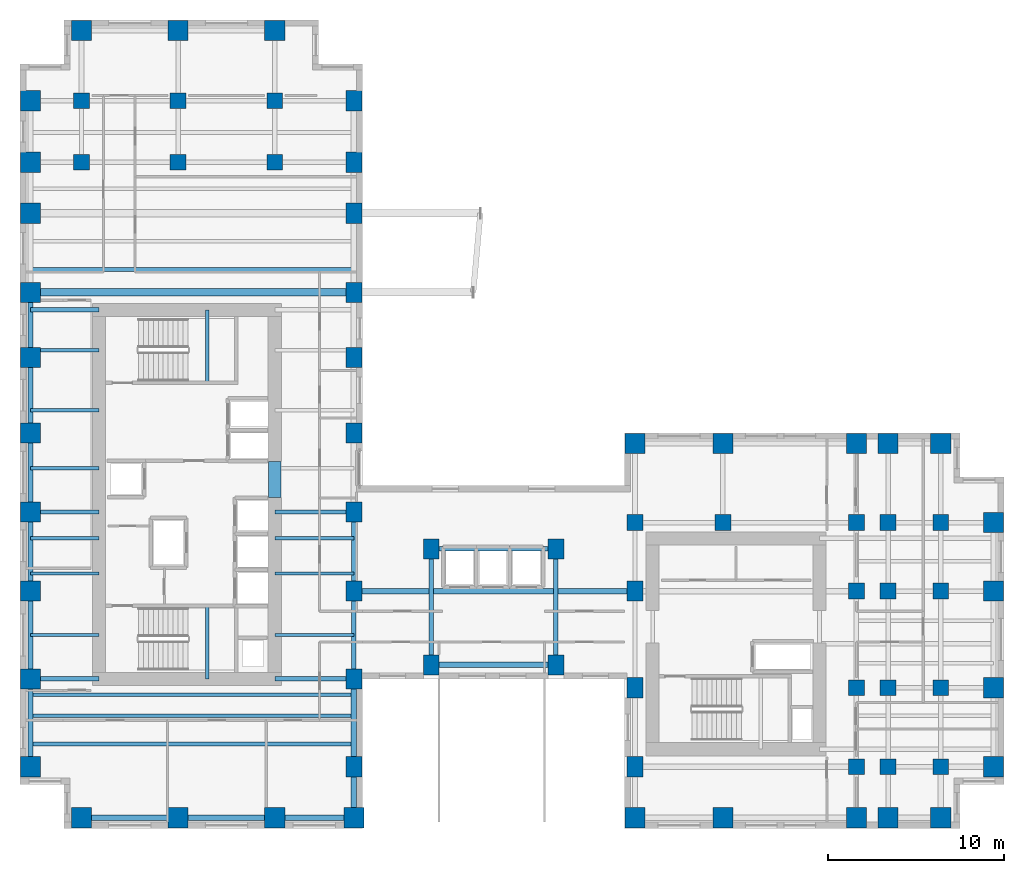
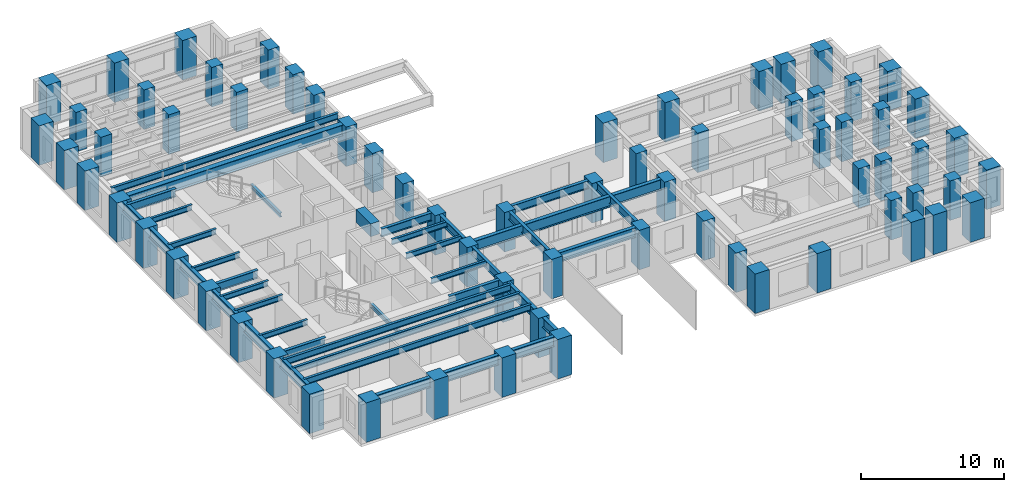
# One storey, part 1 of 13: 68 columns, 40 beams.
"""IFC4 building model written with IfcOpenShell, lengths in metres."""

from ifc_helpers import new_model, si_unit, direction, frame, origin, origin_2d, place, context, subcontext, project, spatial, rectangle, i_section, extrude, source, transform, mapped, material, material_profile, profile_set, type_object, element, save


model = new_model("IFC4")

# Units and contexts
model_context = context("Model", 3, precision=1e-05, world=origin(), true_north=direction((0.0, 1.0)))
body_context = subcontext(model_context, "Body", "Model", "MODEL_VIEW")
ifc_project = project(units=[si_unit("LENGTHUNIT", "METRE"), si_unit("AREAUNIT", "SQUARE_METRE"), si_unit("VOLUMEUNIT", "CUBIC_METRE"), si_unit("PLANEANGLEUNIT", "RADIAN"), si_unit("MASSUNIT", "GRAM", prefix="KILO")], contexts=[model_context])

# Site, building, storey
site_placement = place(None, origin())
site = spatial("IfcSite", under=ifc_project, at=site_placement, CompositionType="ELEMENT")
building_placement = place(site_placement, origin())
building = spatial("IfcBuilding", under=site, at=building_placement, Name="Kharzan Plaza Tower", CompositionType="ELEMENT")
storey_placement = place(building_placement, frame((0.0, 0.0, 95.39990234375)))
storey = spatial("IfcBuildingStorey", under=building, at=storey_placement, Name="L25", CompositionType="ELEMENT", Elevation=95.39990234375)

# Columns
ifc_material_1 = material(Name="Concrete C50/60", Category="concrete")
ifc_material_profile_1 = material_profile(ifc_material_1, rectangle(XDim=0.89990234375, YDim=0.89990234375, at=origin_2d()), Name="RC-IC900x900")
ifc_profile_set_1 = profile_set([ifc_material_profile_1], Name="Concrete C50/60")
column_type_1 = type_object("IfcColumnType", Name="COL-IC900", PredefinedType="COLUMN", material=ifc_profile_set_1)
shared_shape_1 = source(origin(), body_context, "Body", "SweptSolid", [
    extrude(rectangle(XDim=0.89990234375, YDim=0.89990234375, at=origin_2d()), origin(), (0.0, 0.0, 1.0), 3.380126953125),
])
for number, where, z_axis, x_axis, name in (
    (1, (47.60009765625, 13.5, 0.0), (0.0, 0.0, 1.0), (1.0, 0.0, 0.0), "L25 Structural Column TCBI-135"),
    (2, (47.60009765625, 3.5, 0.0), (0.0, 0.0, 1.0), (1.0, 0.0, 0.0), "L25 Structural Column TCBI-35"),
    (3, (47.60009765625, 8.0, 0.0), (0.0, 0.0, 1.0), (1.0, 0.0, 0.0), "L25 Structural Column TCBI-80"),
    (4, (35.0, 17.39990234375, 0.0), (0.0, 0.0, 1.0), (1.0, 0.0, 0.0), "L25 Structural Column TCBN-350-174"),
    (5, (40.0, 17.39990234375, 0.0), (0.0, 0.0, 1.0), (1.0, 0.0, 0.0), "L25 Structural Column TCBN-400-174"),
    (6, (47.60009765625, 17.39990234375, 0.0), (0.0, 0.0, 1.0), (1.0, 0.0, 0.0), "L25 Structural Column TCBN-476-174"),
    (7, (49.39990234375, 13.5, 0.0), (0.0, 0.0, 1.0), (1.0, 0.0, 0.0), "L25 Structural Column TCE-494-135"),
    (8, (49.39990234375, 17.39990234375, 0.0), (0.0, 0.0, 1.0), (1.0, 0.0, 0.0), "L25 Structural Column TCE-494-174"),
    (9, (49.39990234375, 3.5, 0.0), (0.0, 0.0, 1.0), (1.0, 0.0, 0.0), "L25 Structural Column TCE-494-35"),
    (10, (49.39990234375, 8.0, 0.0), (0.0, 0.0, 1.0), (1.0, 0.0, 0.0), "L25 Structural Column TCE-494-80"),
    (11, (52.39990234375, 13.5, 0.0), (0.0, 0.0, 1.0), (1.0, 0.0, 0.0), "L25 Structural Column TCE-524-135"),
    (12, (52.39990234375, 17.39990234375, 0.0), (0.0, 0.0, 1.0), (1.0, 0.0, 0.0), "L25 Structural Column TCE-524-174"),
    (13, (52.39990234375, 3.5, 0.0), (0.0, 0.0, 1.0), (1.0, 0.0, 0.0), "L25 Structural Column TCE-524-35"),
    (14, (52.39990234375, 8.0, 0.0), (0.0, 0.0, 1.0), (1.0, 0.0, 0.0), "L25 Structural Column TCE-524-80"),
    (15, (14.5, 37.89990234375, 0.0), (0.0, 0.0, 1.0), (1.0, 0.0, 0.0), "L25 Structural Column TCN-145-379"),
    (16, (14.5, 41.39990234375, 0.0), (0.0, 0.0, 1.0), (1.0, 0.0, 0.0), "L25 Structural Column TCN-145-414"),
    (17, (3.5, 37.89990234375, 0.0), (0.0, 0.0, 1.0), (1.0, 0.0, 0.0), "L25 Structural Column TCN-35-379"),
    (18, (3.5, 41.39990234375, 0.0), (0.0, 0.0, 1.0), (1.0, 0.0, 0.0), "L25 Structural Column TCN-35-414"),
    (19, (9.0, 37.89990234375, 0.0), (0.0, 0.0, 1.0), (1.0, 0.0, 0.0), "L25 Structural Column TCN-90-379"),
    (20, (9.0, 41.39990234375, 0.0), (0.0, 0.0, 1.0), (1.0, 0.0, 0.0), "L25 Structural Column TCN-90-414"),
):
    element("IfcColumn", number, at=place(storey_placement, frame(where, z_axis=z_axis, x_axis=x_axis)), inside=storey, type_object=column_type_1, Name=name, PredefinedType="COLUMN", context=body_context, shape_type="MappedRepresentation", body=[
        mapped(shared_shape_1, transform((0.0, 0.0, 0.0), x_axis=(1.0, 0.0, 0.0), y_axis=(0.0, 1.0, 0.0), z_axis=(0.0, 0.0, 1.0))),
    ])
ifc_material_2 = material(Name="Concrete C60/75", Category="concrete")
ifc_material_profile_2 = material_profile(ifc_material_2, rectangle(XDim=0.89990234375, YDim=1.14990234375, at=origin_2d()), Name="RC-SC1150x900")
ifc_profile_set_2 = profile_set([ifc_material_profile_2], Name="Concrete C60/75")
column_type_2 = type_object("IfcColumnType", Name="COL-SC1150", PredefinedType="COLUMN", material=ifc_profile_set_2)
shared_shape_2 = source(origin(), body_context, "Body", "SweptSolid", [
    extrude(rectangle(XDim=0.89990234375, YDim=1.14990234375, at=origin_2d()), origin(), (0.0, 0.0, 1.0), 3.380126953125),
])
for number, where, z_axis, x_axis, name in (
    (21, (19.0, 13.5, 0.0), (0.0, 0.0, 1.0), (1.0, 0.0, 0.0), "L25 Structural Column TCA-135"),
    (22, (19.0, 18.0, 0.0), (0.0, 0.0, 1.0), (1.0, 0.0, 0.0), "L25 Structural Column TCA-180"),
    (23, (19.0, 22.5, 0.0), (0.0, 0.0, 1.0), (1.0, 0.0, 0.0), "L25 Structural Column TCA-225"),
    (24, (19.0, 26.800048828125, 0.0), (0.0, 0.0, 1.0), (1.0, 0.0, 0.0), "L25 Structural Column TCA-268"),
    (25, (19.0, 30.5, 0.0), (0.0, 0.0, 1.0), (1.0, 0.0, 0.0), "L25 Structural Column TCA-305"),
    (26, (19.0, 3.5, 0.0), (0.0, 0.0, 1.0), (1.0, 0.0, 0.0), "L25 Structural Column TCA-35"),
    (27, (19.0, 35.0, 0.0), (0.0, 0.0, 1.0), (1.0, 0.0, 0.0), "L25 Structural Column TCA-350"),
    (28, (19.0, 37.89990234375, 0.0), (0.0, 0.0, 1.0), (1.0, 0.0, 0.0), "L25 Structural Column TCA-379"),
    (29, (19.0, 41.39990234375, 0.0), (0.0, 0.0, 1.0), (1.0, 0.0, 0.0), "L25 Structural Column TCA-414"),
    (30, (19.0, 8.5, 0.0), (0.0, 0.0, 1.0), (1.0, 0.0, 0.0), "L25 Structural Column TCA-85"),
    (31, (35.0, 13.5, 0.0), (0.0, 0.0, 1.0), (1.0, 0.0, 0.0), "L25 Structural Column TCBS-135"),
    (32, (35.0, 3.5, 0.0), (0.0, 0.0, 1.0), (1.0, 0.0, 0.0), "L25 Structural Column TCBS-35"),
    (33, (35.0, 8.0, 0.0), (0.0, 0.0, 1.0), (1.0, 0.0, 0.0), "L25 Structural Column TCBS-80"),
    (34, (23.39990234375, 15.89990234375, 0.0), (0.0, 0.0, 1.0), (1.0, 0.0, 0.0), "L25 Structural Column TCSP-234-159"),
    (35, (23.39990234375, 9.300048828125, 0.0), (0.0, 0.0, 1.0), (1.0, 0.0, 0.0), "L25 Structural Column TCSP-234-93"),
    (36, (30.5, 15.89990234375, 0.0), (0.0, 0.0, 1.0), (1.0, 0.0, 0.0), "L25 Structural Column TCSP-305-159"),
    (37, (30.5, 9.300048828125, 0.0), (0.0, 0.0, 1.0), (1.0, 0.0, 0.0), "L25 Structural Column TCSP-305-93"),
):
    element("IfcColumn", number, at=place(storey_placement, frame(where, z_axis=z_axis, x_axis=x_axis)), inside=storey, type_object=column_type_2, Name=name, PredefinedType="COLUMN", context=body_context, shape_type="MappedRepresentation", body=[
        mapped(shared_shape_2, transform((0.0, 0.0, 0.0), x_axis=(1.0, 0.0, 0.0), y_axis=(0.0, 1.0, 0.0), z_axis=(0.0, 0.0, 1.0))),
    ])
ifc_material_profile_3 = material_profile(ifc_material_2, rectangle(XDim=1.14990234375, YDim=1.14990234375, at=origin_2d()), Name="RC-TC1150x1150")
ifc_profile_set_3 = profile_set([ifc_material_profile_3], Name="Concrete C60/75")
column_type_3 = type_object("IfcColumnType", Name="COL-TC1150", PredefinedType="COLUMN", material=ifc_profile_set_3)
shared_shape_3 = source(origin(), body_context, "Body", "SweptSolid", [
    extrude(rectangle(XDim=1.14990234375, YDim=1.14990234375, at=origin_2d()), origin(), (0.0, 0.0, 1.0), 3.380126953125),
])
for number, where, z_axis, x_axis, name in (
    (38, (35.0, 21.89990234375, 0.0), (0.0, 0.0, 1.0), (1.0, 0.0, 0.0), "L25 Structural Column TCBN-350-219"),
    (39, (40.0, 21.89990234375, 0.0), (0.0, 0.0, 1.0), (1.0, 0.0, 0.0), "L25 Structural Column TCBN-400-219"),
    (40, (47.60009765625, 21.89990234375, 0.0), (0.0, 0.0, 1.0), (1.0, 0.0, 0.0), "L25 Structural Column TCBN-476-219"),
    (41, (49.39990234375, 21.89990234375, 0.0), (0.0, 0.0, 1.0), (1.0, 0.0, 0.0), "L25 Structural Column TCBN-494-219"),
    (42, (52.39990234375, 21.89990234375, 0.0), (0.0, 0.0, 1.0), (1.0, 0.0, 0.0), "L25 Structural Column TCBN-524-219"),
    (43, (55.39990234375, 13.5, 0.0), (0.0, 0.0, 1.0), (1.0, 0.0, 0.0), "L25 Structural Column TCE-554-135"),
    (44, (55.39990234375, 17.39990234375, 0.0), (0.0, 0.0, 1.0), (1.0, 0.0, 0.0), "L25 Structural Column TCE-554-174"),
    (45, (55.39990234375, 3.5, 0.0), (0.0, 0.0, 1.0), (1.0, 0.0, 0.0), "L25 Structural Column TCE-554-35"),
    (46, (55.39990234375, 8.0, 0.0), (0.0, 0.0, 1.0), (1.0, 0.0, 0.0), "L25 Structural Column TCE-554-80"),
    (47, (14.5, 45.39990234375, 0.0), (0.0, 0.0, 1.0), (1.0, 0.0, 0.0), "L25 Structural Column TCN-145-454"),
    (48, (3.5, 45.39990234375, 0.0), (0.0, 0.0, 1.0), (1.0, 0.0, 0.0), "L25 Structural Column TCN-35-454"),
    (49, (9.0, 45.39990234375, 0.0), (0.0, 0.0, 1.0), (1.0, 0.0, 0.0), "L25 Structural Column TCN-90-454"),
    (50, (14.5, 0.60009765625, 0.0), (0.0, 0.0, 1.0), (1.0, 0.0, 0.0), "L25 Structural Column TCS-145"),
    (51, (19.0, 0.60009765625, 0.0), (0.0, 0.0, 1.0), (1.0, 0.0, 0.0), "L25 Structural Column TCS-190"),
    (52, (3.5, 0.60009765625, 0.0), (0.0, 0.0, 1.0), (1.0, 0.0, 0.0), "L25 Structural Column TCS-35"),
    (53, (35.0, 0.60009765625, 0.0), (0.0, 0.0, 1.0), (1.0, 0.0, 0.0), "L25 Structural Column TCS-350"),
    (54, (40.0, 0.60009765625, 0.0), (0.0, 0.0, 1.0), (1.0, 0.0, 0.0), "L25 Structural Column TCS-400"),
    (55, (47.60009765625, 0.60009765625, 0.0), (0.0, 0.0, 1.0), (1.0, 0.0, 0.0), "L25 Structural Column TCS-476"),
    (56, (49.39990234375, 0.60009765625, 0.0), (0.0, 0.0, 1.0), (1.0, 0.0, 0.0), "L25 Structural Column TCS-494"),
    (57, (52.39990234375, 0.60009765625, 0.0), (0.0, 0.0, 1.0), (1.0, 0.0, 0.0), "L25 Structural Column TCS-524"),
    (58, (9.0, 0.60009765625, 0.0), (0.0, 0.0, 1.0), (1.0, 0.0, 0.0), "L25 Structural Column TCS-90"),
    (59, (0.60009765625, 13.5, 0.0), (0.0, 0.0, 1.0), (1.0, 0.0, 0.0), "L25 Structural Column TCW-135"),
    (60, (0.60009765625, 18.0, 0.0), (0.0, 0.0, 1.0), (1.0, 0.0, 0.0), "L25 Structural Column TCW-180"),
    (61, (0.60009765625, 22.5, 0.0), (0.0, 0.0, 1.0), (1.0, 0.0, 0.0), "L25 Structural Column TCW-225"),
    (62, (0.60009765625, 26.800048828125, 0.0), (0.0, 0.0, 1.0), (1.0, 0.0, 0.0), "L25 Structural Column TCW-268"),
    (63, (0.60009765625, 30.5, 0.0), (0.0, 0.0, 1.0), (1.0, 0.0, 0.0), "L25 Structural Column TCW-305"),
    (64, (0.60009765625, 3.5, 0.0), (0.0, 0.0, 1.0), (1.0, 0.0, 0.0), "L25 Structural Column TCW-35"),
    (65, (0.60009765625, 35.0, 0.0), (0.0, 0.0, 1.0), (1.0, 0.0, 0.0), "L25 Structural Column TCW-350"),
    (66, (0.60009765625, 37.89990234375, 0.0), (0.0, 0.0, 1.0), (1.0, 0.0, 0.0), "L25 Structural Column TCW-379"),
    (67, (0.60009765625, 41.39990234375, 0.0), (0.0, 0.0, 1.0), (1.0, 0.0, 0.0), "L25 Structural Column TCW-414"),
    (68, (0.60009765625, 8.5, 0.0), (0.0, 0.0, 1.0), (1.0, 0.0, 0.0), "L25 Structural Column TCW-85"),
):
    element("IfcColumn", number, at=place(storey_placement, frame(where, z_axis=z_axis, x_axis=x_axis)), inside=storey, type_object=column_type_3, Name=name, PredefinedType="COLUMN", context=body_context, shape_type="MappedRepresentation", body=[
        mapped(shared_shape_3, transform((0.0, 0.0, 0.0), x_axis=(1.0, 0.0, 0.0), y_axis=(0.0, 1.0, 0.0), z_axis=(0.0, 0.0, 1.0))),
    ])

# Beams
ifc_material_profile_4 = material_profile(ifc_material_2, rectangle(XDim=0.699951171875, YDim=1.10009765625, at=origin_2d()), Name="RC-CB1100x700")
ifc_profile_set_4 = profile_set([ifc_material_profile_4], Name="Concrete C60/75")
beam_type_1 = type_object("IfcBeamType", Name="BM-RCCB1100", PredefinedType="LINTEL", material=ifc_profile_set_4)
shared_shape_4 = source(origin(), body_context, "Body", "SweptSolid", [
    extrude(rectangle(XDim=0.699951171875, YDim=1.10009765625, at=origin_2d()), origin(), (0.0, 0.0, 1.0), 2.059814453125),
])
beam_1_placement = place(storey_placement, frame((14.5, 18.820068359375, 2.830078125), z_axis=(0.0, 1.0, 0.0), x_axis=(-1.0, 0.0, 0.0)))
element("IfcBeam", 69, at=beam_1_placement, inside=storey, type_object=beam_type_1, Name="L25 CORE-A RC coupling beam CB1", PredefinedType="LINTEL", context=body_context, shape_type="MappedRepresentation", body=[
    mapped(shared_shape_4, transform((0.0, 0.0, 0.0), x_axis=(1.0, 0.0, 0.0), y_axis=(0.0, 1.0, 0.0), z_axis=(0.0, 0.0, 1.0))),
])
ifc_material_3 = material(Name="Steel S355", Category="steel")
ifc_material_profile_5 = material_profile(ifc_material_3, i_section(OverallWidth=0.205078125, OverallDepth=0.35400390625, WebThickness=0.009521484375, FlangeThickness=0.016845703125, at=origin_2d()), Name="W360x79")
ifc_profile_set_5 = profile_set([ifc_material_profile_5], Name="Steel S355")
beam_type_2 = type_object("IfcBeamType", Name="BM-LNT360", PredefinedType="LINTEL", material=ifc_profile_set_5)
shared_shape_5 = source(origin(), body_context, "Body", "SweptSolid", [
    extrude(i_section(OverallWidth=0.205078125, OverallDepth=0.35400390625, WebThickness=0.009521484375, FlangeThickness=0.016845703125, at=origin_2d()), origin(), (0.0, 0.0, 1.0), 4.155029296875),
])
for number, where, z_axis, x_axis, name in (
    (70, (10.64990234375, 8.5, 1.423095703125), (0.0, 1.0, 0.0), (-1.0, 0.0, 0.0), "L25 Stair ST-1 Half-Landing Beam"),
    (71, (10.64990234375, 25.344970703125, 1.423095703125), (0.0, 1.0, 0.0), (-1.0, 0.0, 0.0), "L25 Stair ST-2 Half-Landing Beam"),
):
    element("IfcBeam", number, at=place(storey_placement, frame(where, z_axis=z_axis, x_axis=x_axis)), inside=storey, type_object=beam_type_2, Name=name, PredefinedType="LINTEL", context=body_context, shape_type="MappedRepresentation", body=[
        mapped(shared_shape_5, transform((0.0, 0.0, 0.0), x_axis=(1.0, 0.0, 0.0), y_axis=(0.0, 1.0, 0.0), z_axis=(0.0, 0.0, 1.0))),
    ])
ifc_material_profile_6 = material_profile(ifc_material_3, i_section(OverallWidth=0.304931640625, OverallDepth=0.9189453125, WebThickness=0.017333984375, FlangeThickness=0.02783203125, at=origin_2d()), Name="W920x253")
ifc_profile_set_6 = profile_set([ifc_material_profile_6], Name="Steel S355")
beam_type_3 = type_object("IfcBeamType", Name="BM-FG920B", PredefinedType="BEAM", material=ifc_profile_set_6)
shared_shape_6 = source(origin(), body_context, "Body", "SweptSolid", [
    extrude(i_section(OverallWidth=0.304931640625, OverallDepth=0.9189453125, WebThickness=0.017333984375, FlangeThickness=0.02783203125, at=origin_2d()), origin(), (0.0, 0.0, 1.0), 16.0),
])
beam_2_placement = place(storey_placement, frame((19.0, 13.5, 2.920654296875), z_axis=(1.0, 0.0, 0.0), x_axis=(0.0, 1.0, 0.0)))
element("IfcBeam", 72, at=beam_2_placement, inside=storey, type_object=beam_type_3, Name="L25 Primary Floor Girder", PredefinedType="BEAM", context=body_context, shape_type="MappedRepresentation", body=[
    mapped(shared_shape_6, transform((0.0, 0.0, 0.0), x_axis=(1.0, 0.0, 0.0), y_axis=(0.0, 1.0, 0.0), z_axis=(0.0, 0.0, 1.0))),
])
ifc_material_profile_7 = material_profile(ifc_material_3, i_section(OverallWidth=0.2099609375, OverallDepth=0.537109375, WebThickness=0.010986328125, FlangeThickness=0.017333984375, at=origin_2d()), Name="W530x101")
ifc_profile_set_7 = profile_set([ifc_material_profile_7], Name="Steel S355")
beam_type_4 = type_object("IfcBeamType", Name="BM-JST530B", PredefinedType="JOIST", material=ifc_profile_set_7)
shared_shape_7 = source(origin(), body_context, "Body", "SweptSolid", [
    extrude(i_section(OverallWidth=0.2099609375, OverallDepth=0.537109375, WebThickness=0.010986328125, FlangeThickness=0.017333984375, at=origin_2d()), origin(), (0.0, 0.0, 1.0), 18.39990234375),
])
for number, where, z_axis, x_axis, name in (
    (73, (0.60009765625, 4.800048828125, 3.111572265625), (1.0, 0.0, 0.0), (0.0, 1.0, 0.0), "L25 Wing A Composite Joist 01"),
    (74, (0.60009765625, 6.39990234375, 3.111572265625), (1.0, 0.0, 0.0), (0.0, 1.0, 0.0), "L25 Wing A Composite Joist 02"),
    (75, (0.60009765625, 7.60009765625, 3.111572265625), (1.0, 0.0, 0.0), (0.0, 1.0, 0.0), "L25 Wing A Composite Joist 03"),
    (76, (0.60009765625, 31.800048828125, 3.111572265625), (1.0, 0.0, 0.0), (0.0, 1.0, 0.0), "L25 Wing A Composite Joist 04"),
):
    element("IfcBeam", number, at=place(storey_placement, frame(where, z_axis=z_axis, x_axis=x_axis)), inside=storey, type_object=beam_type_4, Name=name, PredefinedType="JOIST", context=body_context, shape_type="MappedRepresentation", body=[
        mapped(shared_shape_7, transform((0.0, 0.0, 0.0), x_axis=(1.0, 0.0, 0.0), y_axis=(0.0, 1.0, 0.0), z_axis=(0.0, 0.0, 1.0))),
    ])
ifc_material_profile_8 = material_profile(ifc_material_3, i_section(OverallWidth=0.194091796875, OverallDepth=0.468994140625, WebThickness=0.011474609375, FlangeThickness=0.0205078125, at=origin_2d()), Name="W460x106")
ifc_profile_set_8 = profile_set([ifc_material_profile_8], Name="Steel S355")
beam_type_5 = type_object("IfcBeamType", Name="BM-JST460", PredefinedType="JOIST", material=ifc_profile_set_8)
shared_shape_8 = source(origin(), body_context, "Body", "SweptSolid", [
    extrude(i_section(OverallWidth=0.194091796875, OverallDepth=0.468994140625, WebThickness=0.011474609375, FlangeThickness=0.0205078125, at=origin_2d()), origin(), (0.0, 0.0, 1.0), 4.5),
])
for number, where, z_axis, x_axis, name in (
    (77, (14.5, 11.0, 3.1455078125), (1.0, 0.0, 0.0), (0.0, 1.0, 0.0), "L25 Wing A East Infill Joist 1"),
    (78, (14.5, 14.5, 3.1455078125), (1.0, 0.0, 0.0), (0.0, 1.0, 0.0), "L25 Wing A East Infill Joist 2"),
    (79, (14.5, 16.5, 3.1455078125), (1.0, 0.0, 0.0), (0.0, 1.0, 0.0), "L25 Wing A East Infill Joist 3"),
):
    element("IfcBeam", number, at=place(storey_placement, frame(where, z_axis=z_axis, x_axis=x_axis)), inside=storey, type_object=beam_type_5, Name=name, PredefinedType="JOIST", context=body_context, shape_type="MappedRepresentation", body=[
        mapped(shared_shape_8, transform((0.0, 0.0, 0.0), x_axis=(1.0, 0.0, 0.0), y_axis=(0.0, 1.0, 0.0), z_axis=(0.0, 0.0, 1.0))),
    ])
shared_shape_9 = source(origin(), body_context, "Body", "SweptSolid", [
    extrude(i_section(OverallWidth=0.194091796875, OverallDepth=0.468994140625, WebThickness=0.011474609375, FlangeThickness=0.0205078125, at=origin_2d()), origin(), (0.0, 0.0, 1.0), 3.89990234375),
])
for number, where, z_axis, x_axis, name in (
    (80, (0.60009765625, 11.0, 3.1455078125), (1.0, 0.0, 0.0), (0.0, 1.0, 0.0), "L25 Wing A West Infill Joist 1"),
    (81, (0.60009765625, 14.5, 3.1455078125), (1.0, 0.0, 0.0), (0.0, 1.0, 0.0), "L25 Wing A West Infill Joist 2"),
    (82, (0.60009765625, 16.5, 3.1455078125), (1.0, 0.0, 0.0), (0.0, 1.0, 0.0), "L25 Wing A West Infill Joist 3"),
    (83, (0.60009765625, 20.5, 3.1455078125), (1.0, 0.0, 0.0), (0.0, 1.0, 0.0), "L25 Wing A West Infill Joist 4"),
    (84, (0.60009765625, 23.800048828125, 3.1455078125), (1.0, 0.0, 0.0), (0.0, 1.0, 0.0), "L25 Wing A West Infill Joist 5"),
    (85, (0.60009765625, 27.199951171875, 3.1455078125), (1.0, 0.0, 0.0), (0.0, 1.0, 0.0), "L25 Wing A West Infill Joist 6"),
):
    element("IfcBeam", number, at=place(storey_placement, frame(where, z_axis=z_axis, x_axis=x_axis)), inside=storey, type_object=beam_type_5, Name=name, PredefinedType="JOIST", context=body_context, shape_type="MappedRepresentation", body=[
        mapped(shared_shape_9, transform((0.0, 0.0, 0.0), x_axis=(1.0, 0.0, 0.0), y_axis=(0.0, 1.0, 0.0), z_axis=(0.0, 0.0, 1.0))),
    ])
ifc_material_profile_9 = material_profile(ifc_material_3, i_section(OverallWidth=0.41796875, OverallDepth=0.93701171875, WebThickness=0.019287109375, FlangeThickness=0.031982421875, at=origin_2d()), Name="W920x342")
ifc_profile_set_9 = profile_set([ifc_material_profile_9], Name="Steel S355")
beam_type_6 = type_object("IfcBeamType", Name="BM-ZTB920", PredefinedType="BEAM", material=ifc_profile_set_9)
shared_shape_10 = source(origin(), body_context, "Body", "SweptSolid", [
    extrude(i_section(OverallWidth=0.41796875, OverallDepth=0.93701171875, WebThickness=0.019287109375, FlangeThickness=0.031982421875, at=origin_2d()), origin(), (0.0, 0.0, 1.0), 18.39990234375),
])
beam_3_placement = place(storey_placement, frame((0.60009765625, 30.5, 2.91162109375), z_axis=(1.0, 0.0, 0.0), x_axis=(0.0, 1.0, 0.0)))
element("IfcBeam", 86, at=beam_3_placement, inside=storey, type_object=beam_type_6, Name="L25 Sky-Terrace Back-Span Girder ZTB1 (L26 G1)", PredefinedType="BEAM", context=body_context, shape_type="MappedRepresentation", body=[
    mapped(shared_shape_10, transform((0.0, 0.0, 0.0), x_axis=(1.0, 0.0, 0.0), y_axis=(0.0, 1.0, 0.0), z_axis=(0.0, 0.0, 1.0))),
])
ifc_material_profile_10 = material_profile(ifc_material_3, i_section(OverallWidth=0.25390625, OverallDepth=0.68798828125, WebThickness=0.01318359375, FlangeThickness=0.02099609375, at=origin_2d()), Name="W690x152")
ifc_profile_set_10 = profile_set([ifc_material_profile_10], Name="Steel S355")
beam_type_7 = type_object("IfcBeamType", Name="BM-FG690B", PredefinedType="BEAM", material=ifc_profile_set_10)
shared_shape_11 = source(origin(), body_context, "Body", "SweptSolid", [
    extrude(i_section(OverallWidth=0.25390625, OverallDepth=0.68798828125, WebThickness=0.01318359375, FlangeThickness=0.02099609375, at=origin_2d()), origin(), (0.0, 0.0, 1.0), 4.5),
])
for number, where, z_axis, x_axis, name in (
    (87, (14.5, 8.5, 3.0361328125), (1.0, 0.0, 0.0), (0.0, 1.0, 0.0), "L25 Core-A East Floor Girder 1"),
    (88, (14.5, 18.0, 3.0361328125), (1.0, 0.0, 0.0), (0.0, 1.0, 0.0), "L25 Core-A East Floor Girder 2"),
    (89, (19.0, 13.5, 3.0361328125), (0.0, 1.0, 0.0), (-1.0, 0.0, 0.0), "L25 Interior Frame Girder"),
):
    element("IfcBeam", number, at=place(storey_placement, frame(where, z_axis=z_axis, x_axis=x_axis)), inside=storey, type_object=beam_type_7, Name=name, PredefinedType="BEAM", context=body_context, shape_type="MappedRepresentation", body=[
        mapped(shared_shape_11, transform((0.0, 0.0, 0.0), x_axis=(1.0, 0.0, 0.0), y_axis=(0.0, 1.0, 0.0), z_axis=(0.0, 0.0, 1.0))),
    ])
shared_shape_12 = source(origin(), body_context, "Body", "SweptSolid", [
    extrude(i_section(OverallWidth=0.25390625, OverallDepth=0.68798828125, WebThickness=0.01318359375, FlangeThickness=0.02099609375, at=origin_2d()), origin(), (0.0, 0.0, 1.0), 3.89990234375),
])
for number, where, z_axis, x_axis, name in (
    (90, (0.60009765625, 8.5, 3.0361328125), (1.0, 0.0, 0.0), (0.0, 1.0, 0.0), "L25 Core-A West Floor Girder 1"),
    (91, (0.60009765625, 18.0, 3.0361328125), (1.0, 0.0, 0.0), (0.0, 1.0, 0.0), "L25 Core-A West Floor Girder 2"),
    (92, (0.60009765625, 29.5, 3.0361328125), (1.0, 0.0, 0.0), (0.0, 1.0, 0.0), "L25 Core-A West Floor Girder 3"),
):
    element("IfcBeam", number, at=place(storey_placement, frame(where, z_axis=z_axis, x_axis=x_axis)), inside=storey, type_object=beam_type_7, Name=name, PredefinedType="BEAM", context=body_context, shape_type="MappedRepresentation", body=[
        mapped(shared_shape_12, transform((0.0, 0.0, 0.0), x_axis=(1.0, 0.0, 0.0), y_axis=(0.0, 1.0, 0.0), z_axis=(0.0, 0.0, 1.0))),
    ])
shared_shape_13 = source(origin(), body_context, "Body", "SweptSolid", [
    extrude(i_section(OverallWidth=0.25390625, OverallDepth=0.68798828125, WebThickness=0.01318359375, FlangeThickness=0.02099609375, at=origin_2d()), origin(), (0.0, 0.0, 1.0), 5.0),
])
beam_4_placement = place(storey_placement, frame((19.0, 8.5, 3.0361328125), z_axis=(0.0, 1.0, 0.0), x_axis=(-1.0, 0.0, 0.0)))
element("IfcBeam", 93, at=beam_4_placement, inside=storey, type_object=beam_type_7, Name="L25 Interior Frame Girder", PredefinedType="BEAM", context=body_context, shape_type="MappedRepresentation", body=[
    mapped(shared_shape_13, transform((0.0, 0.0, 0.0), x_axis=(1.0, 0.0, 0.0), y_axis=(0.0, 1.0, 0.0), z_axis=(0.0, 0.0, 1.0))),
])
shared_shape_14 = source(origin(), body_context, "Body", "SweptSolid", [
    extrude(i_section(OverallWidth=0.25390625, OverallDepth=0.68798828125, WebThickness=0.01318359375, FlangeThickness=0.02099609375, at=origin_2d()), origin(), (0.0, 0.0, 1.0), 6.599853515625),
])
for number, where, z_axis, x_axis, name in (
    (94, (23.39990234375, 9.300048828125, 3.0361328125), (0.0, 1.0, 0.0), (-1.0, 0.0, 0.0), "L25 Interior Frame Girder"),
    (95, (30.5, 9.300048828125, 3.0361328125), (0.0, 1.0, 0.0), (-1.0, 0.0, 0.0), "L25 Interior Frame Girder"),
):
    element("IfcBeam", number, at=place(storey_placement, frame(where, z_axis=z_axis, x_axis=x_axis)), inside=storey, type_object=beam_type_7, Name=name, PredefinedType="BEAM", context=body_context, shape_type="MappedRepresentation", body=[
        mapped(shared_shape_14, transform((0.0, 0.0, 0.0), x_axis=(1.0, 0.0, 0.0), y_axis=(0.0, 1.0, 0.0), z_axis=(0.0, 0.0, 1.0))),
    ])
shared_shape_15 = source(origin(), body_context, "Body", "SweptSolid", [
    extrude(i_section(OverallWidth=0.25390625, OverallDepth=0.68798828125, WebThickness=0.01318359375, FlangeThickness=0.02099609375, at=origin_2d()), origin(), (0.0, 0.0, 1.0), 7.10009765625),
])
beam_5_placement = place(storey_placement, frame((23.39990234375, 15.89990234375, 3.0361328125), z_axis=(1.0, 0.0, 0.0), x_axis=(0.0, 1.0, 0.0)))
element("IfcBeam", 96, at=beam_5_placement, inside=storey, type_object=beam_type_7, Name="L25 Primary Floor Girder", PredefinedType="BEAM", context=body_context, shape_type="MappedRepresentation", body=[
    mapped(shared_shape_15, transform((0.0, 0.0, 0.0), x_axis=(1.0, 0.0, 0.0), y_axis=(0.0, 1.0, 0.0), z_axis=(0.0, 0.0, 1.0))),
])
ifc_material_profile_11 = material_profile(ifc_material_3, i_section(OverallWidth=0.299072265625, OverallDepth=0.845947265625, WebThickness=0.015380859375, FlangeThickness=0.0244140625, at=origin_2d()), Name="W840x210")
ifc_profile_set_11 = profile_set([ifc_material_profile_11], Name="Steel S355")
beam_type_8 = type_object("IfcBeamType", Name="BM-SP840B", PredefinedType="SPANDREL", material=ifc_profile_set_11)
shared_shape_16 = source(origin(), body_context, "Body", "SweptSolid", [
    extrude(i_section(OverallWidth=0.299072265625, OverallDepth=0.845947265625, WebThickness=0.015380859375, FlangeThickness=0.0244140625, at=origin_2d()), origin(), (0.0, 0.0, 1.0), 5.0),
])
for number, where, z_axis, x_axis, name in (
    (97, (0.60009765625, 3.5, 2.95703125), (0.0, 1.0, 0.0), (-1.0, 0.0, 0.0), "L25 Perimeter Tube Spandrel"),
    (98, (0.60009765625, 8.5, 2.95703125), (0.0, 1.0, 0.0), (-1.0, 0.0, 0.0), "L25 Perimeter Tube Spandrel"),
    (99, (19.0, 3.5, 2.95703125), (0.0, 1.0, 0.0), (-1.0, 0.0, 0.0), "L25 Perimeter Tube Spandrel"),
):
    element("IfcBeam", number, at=place(storey_placement, frame(where, z_axis=z_axis, x_axis=x_axis)), inside=storey, type_object=beam_type_8, Name=name, PredefinedType="SPANDREL", context=body_context, shape_type="MappedRepresentation", body=[
        mapped(shared_shape_16, transform((0.0, 0.0, 0.0), x_axis=(1.0, 0.0, 0.0), y_axis=(0.0, 1.0, 0.0), z_axis=(0.0, 0.0, 1.0))),
    ])
shared_shape_17 = source(origin(), body_context, "Body", "SweptSolid", [
    extrude(i_section(OverallWidth=0.299072265625, OverallDepth=0.845947265625, WebThickness=0.015380859375, FlangeThickness=0.0244140625, at=origin_2d()), origin(), (0.0, 0.0, 1.0), 4.5),
])
for number, where, z_axis, x_axis, name in (
    (100, (0.60009765625, 13.5, 2.95703125), (0.0, 1.0, 0.0), (-1.0, 0.0, 0.0), "L25 Perimeter Tube Spandrel"),
    (101, (0.60009765625, 18.0, 2.95703125), (0.0, 1.0, 0.0), (-1.0, 0.0, 0.0), "L25 Perimeter Tube Spandrel"),
    (102, (14.5, 0.60009765625, 2.95703125), (1.0, 0.0, 0.0), (0.0, 1.0, 0.0), "L25 Perimeter Tube Spandrel"),
):
    element("IfcBeam", number, at=place(storey_placement, frame(where, z_axis=z_axis, x_axis=x_axis)), inside=storey, type_object=beam_type_8, Name=name, PredefinedType="SPANDREL", context=body_context, shape_type="MappedRepresentation", body=[
        mapped(shared_shape_17, transform((0.0, 0.0, 0.0), x_axis=(1.0, 0.0, 0.0), y_axis=(0.0, 1.0, 0.0), z_axis=(0.0, 0.0, 1.0))),
    ])
shared_shape_18 = source(origin(), body_context, "Body", "SweptSolid", [
    extrude(i_section(OverallWidth=0.299072265625, OverallDepth=0.845947265625, WebThickness=0.015380859375, FlangeThickness=0.0244140625, at=origin_2d()), origin(), (0.0, 0.0, 1.0), 4.300048828125),
])
beam_6_placement = place(storey_placement, frame((0.60009765625, 22.5, 2.95703125), z_axis=(0.0, 1.0, 0.0), x_axis=(-1.0, 0.0, 0.0)))
element("IfcBeam", 103, at=beam_6_placement, inside=storey, type_object=beam_type_8, Name="L25 Perimeter Tube Spandrel", PredefinedType="SPANDREL", context=body_context, shape_type="MappedRepresentation", body=[
    mapped(shared_shape_18, transform((0.0, 0.0, 0.0), x_axis=(1.0, 0.0, 0.0), y_axis=(0.0, 1.0, 0.0), z_axis=(0.0, 0.0, 1.0))),
])
shared_shape_19 = source(origin(), body_context, "Body", "SweptSolid", [
    extrude(i_section(OverallWidth=0.299072265625, OverallDepth=0.845947265625, WebThickness=0.015380859375, FlangeThickness=0.0244140625, at=origin_2d()), origin(), (0.0, 0.0, 1.0), 3.699951171875),
])
beam_7_placement = place(storey_placement, frame((0.60009765625, 26.800048828125, 2.95703125), z_axis=(0.0, 1.0, 0.0), x_axis=(-1.0, 0.0, 0.0)))
element("IfcBeam", 104, at=beam_7_placement, inside=storey, type_object=beam_type_8, Name="L25 Perimeter Tube Spandrel", PredefinedType="SPANDREL", context=body_context, shape_type="MappedRepresentation", body=[
    mapped(shared_shape_19, transform((0.0, 0.0, 0.0), x_axis=(1.0, 0.0, 0.0), y_axis=(0.0, 1.0, 0.0), z_axis=(0.0, 0.0, 1.0))),
])
shared_shape_20 = source(origin(), body_context, "Body", "SweptSolid", [
    extrude(i_section(OverallWidth=0.299072265625, OverallDepth=0.845947265625, WebThickness=0.015380859375, FlangeThickness=0.0244140625, at=origin_2d()), origin(), (0.0, 0.0, 1.0), 2.89990234375),
])
beam_8_placement = place(storey_placement, frame((19.0, 0.60009765625, 2.95703125), z_axis=(0.0, 1.0, 0.0), x_axis=(-1.0, 0.0, 0.0)))
element("IfcBeam", 105, at=beam_8_placement, inside=storey, type_object=beam_type_8, Name="L25 Perimeter Tube Spandrel", PredefinedType="SPANDREL", context=body_context, shape_type="MappedRepresentation", body=[
    mapped(shared_shape_20, transform((0.0, 0.0, 0.0), x_axis=(1.0, 0.0, 0.0), y_axis=(0.0, 1.0, 0.0), z_axis=(0.0, 0.0, 1.0))),
])
shared_shape_21 = source(origin(), body_context, "Body", "SweptSolid", [
    extrude(i_section(OverallWidth=0.299072265625, OverallDepth=0.845947265625, WebThickness=0.015380859375, FlangeThickness=0.0244140625, at=origin_2d()), origin(), (0.0, 0.0, 1.0), 5.5),
])
for number, where, z_axis, x_axis, name in (
    (106, (3.5, 0.60009765625, 2.95703125), (1.0, 0.0, 0.0), (0.0, 1.0, 0.0), "L25 Perimeter Tube Spandrel"),
    (107, (9.0, 0.60009765625, 2.95703125), (1.0, 0.0, 0.0), (0.0, 1.0, 0.0), "L25 Perimeter Tube Spandrel"),
):
    element("IfcBeam", number, at=place(storey_placement, frame(where, z_axis=z_axis, x_axis=x_axis)), inside=storey, type_object=beam_type_8, Name=name, PredefinedType="SPANDREL", context=body_context, shape_type="MappedRepresentation", body=[
        mapped(shared_shape_21, transform((0.0, 0.0, 0.0), x_axis=(1.0, 0.0, 0.0), y_axis=(0.0, 1.0, 0.0), z_axis=(0.0, 0.0, 1.0))),
    ])
shared_shape_22 = source(origin(), body_context, "Body", "SweptSolid", [
    extrude(i_section(OverallWidth=0.299072265625, OverallDepth=0.845947265625, WebThickness=0.015380859375, FlangeThickness=0.0244140625, at=origin_2d()), origin(), (0.0, 0.0, 1.0), 7.10009765625),
])
beam_9_placement = place(storey_placement, frame((23.39990234375, 9.300048828125, 2.95703125), z_axis=(1.0, 0.0, 0.0), x_axis=(0.0, 1.0, 0.0)))
element("IfcBeam", 108, at=beam_9_placement, inside=storey, type_object=beam_type_8, Name="L25 Perimeter Tube Spandrel", PredefinedType="SPANDREL", context=body_context, shape_type="MappedRepresentation", body=[
    mapped(shared_shape_22, transform((0.0, 0.0, 0.0), x_axis=(1.0, 0.0, 0.0), y_axis=(0.0, 1.0, 0.0), z_axis=(0.0, 0.0, 1.0))),
])

save(model, "model.ifc")
